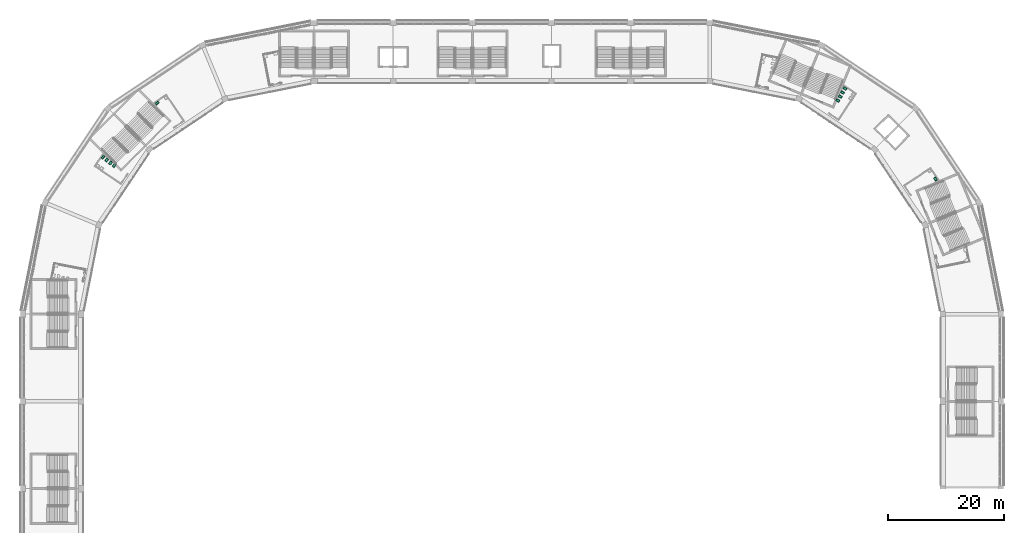
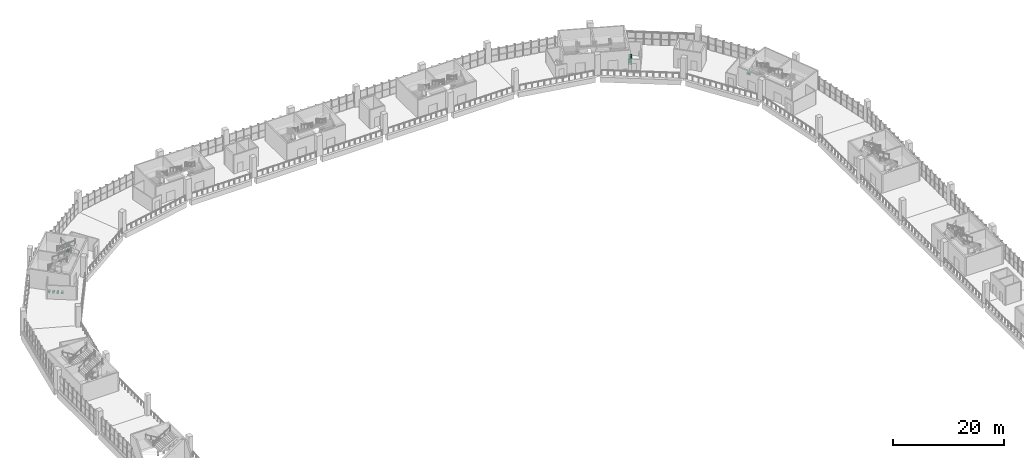
# One storey, part 173 of 177: 10 sanitary terminals.
"""IFC4 building model written with IfcOpenShell, lengths in metres."""

from ifc_helpers import new_model, si_unit, direction, frame, origin, origin_2d, place, context, subcontext, project, spatial, rectangle, extrude, material, type_object, element, save


model = new_model("IFC4")

# Units and contexts
model_context = context("Model", 3, precision=1e-05, world=origin(), true_north=direction((0.0, 1.0)))
body_context = subcontext(model_context, "Body", "Model", "MODEL_VIEW")
ifc_project = project(units=[si_unit("LENGTHUNIT", "METRE"), si_unit("AREAUNIT", "SQUARE_METRE"), si_unit("VOLUMEUNIT", "CUBIC_METRE"), si_unit("PLANEANGLEUNIT", "RADIAN"), si_unit("MASSUNIT", "GRAM", prefix="KILO")], contexts=[model_context])

# Site, building, storey
site_placement = place(None, origin())
site = spatial("IfcSite", under=ifc_project, at=site_placement, CompositionType="ELEMENT")
building_placement = place(site_placement, origin())
building = spatial("IfcBuilding", under=site, at=building_placement, Name="Ogive Plaza Stadium", CompositionType="ELEMENT")
storey_placement = place(building_placement, frame((0.0, 0.0, 18.0)))
storey = spatial("IfcBuildingStorey", under=building, at=storey_placement, Name="L04", CompositionType="ELEMENT", Elevation=18.0)

# Sanitary terminals
ifc_material = material(Name="Vitreous china", Category="ceramic")
sanitary_terminal_type = type_object("IfcSanitaryTerminalType", Name="Water closet", PredefinedType="TOILETPAN", material=ifc_material)
for number, where, z_axis, x_axis, name in (
    (1, (-70.249267578125, 79.4345703125, 0.0), (0.0, 0.0, 1.0), (0.798695376921, -0.601735568905, 0.0), "Water closet L04-010"),
    (2, (-69.6103515625, 78.953125, 0.0), (0.0, 0.0, 1.0), (0.798695376921, -0.601735568905, 0.0), "Water closet L04-010"),
    (3, (-68.97119140625, 78.4716796875, 0.0), (0.0, 0.0, 1.0), (0.798695376921, -0.601735568905, 0.0), "Water closet L04-010"),
    (4, (-68.33251953125, 77.990478515625, 0.0), (0.0, 0.0, 1.0), (0.798695376921, -0.601735568905, 0.0), "Water closet L04-010"),
    (5, (57.1826171875, 91.25634765625, 0.0), (0.0, 0.0, 1.0), (-0.507624078564, -0.861578664349, 0.0), "Water closet L04-014"),
    (6, (56.776611328125, 90.56689453125, 0.0), (0.0, 0.0, 1.0), (-0.507624078564, -0.861578664349, 0.0), "Water closet L04-014"),
    (7, (56.370361328125, 89.877685546875, 0.0), (0.0, 0.0, 1.0), (-0.507624078564, -0.861578664349, 0.0), "Water closet L04-014"),
    (8, (55.96435546875, 89.1884765625, 0.0), (0.0, 0.0, 1.0), (-0.507624078564, -0.861578664349, 0.0), "Water closet L04-014"),
    (9, (-60.9345703125, 88.749267578125, 0.0), (0.0, 0.0, 1.0), (0.601735568905, -0.798695376921, 0.0), "Water closet L04-011"),
    (10, (72.75634765625, 75.6826171875, 0.0), (0.0, 0.0, 1.0), (-0.861578664349, -0.507624078564, 0.0), "Water closet L04-015"),
):
    element("IfcSanitaryTerminal", number, at=place(storey_placement, frame(where, z_axis=z_axis, x_axis=x_axis)), inside=storey, type_object=sanitary_terminal_type, Name=name, PredefinedType="TOILETPAN", context=body_context, shape_type="SweptSolid", body=[
        extrude(rectangle(XDim=0.39990234375, YDim=0.60009765625, at=origin_2d()), origin(), (0.0, 0.0, 1.0), 0.39990234375),
    ])

save(model, "model.ifc")
